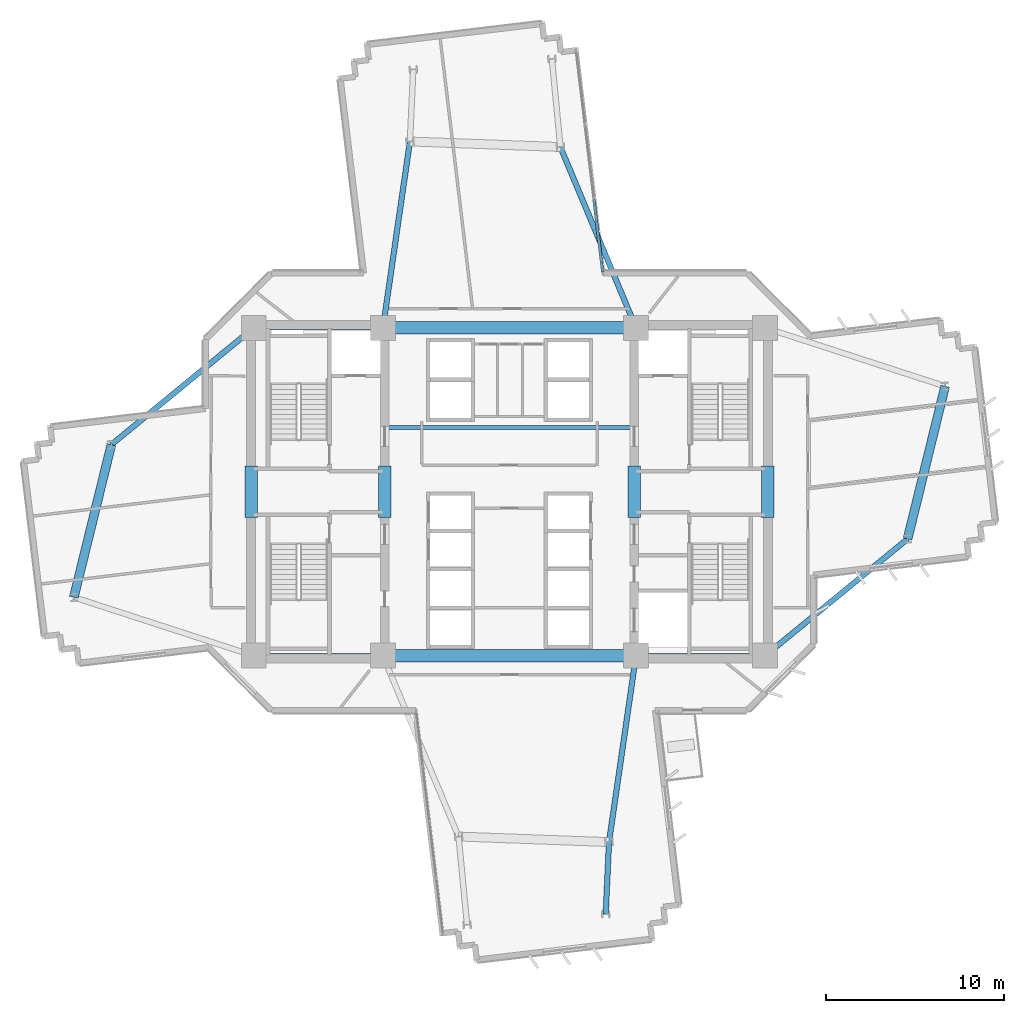
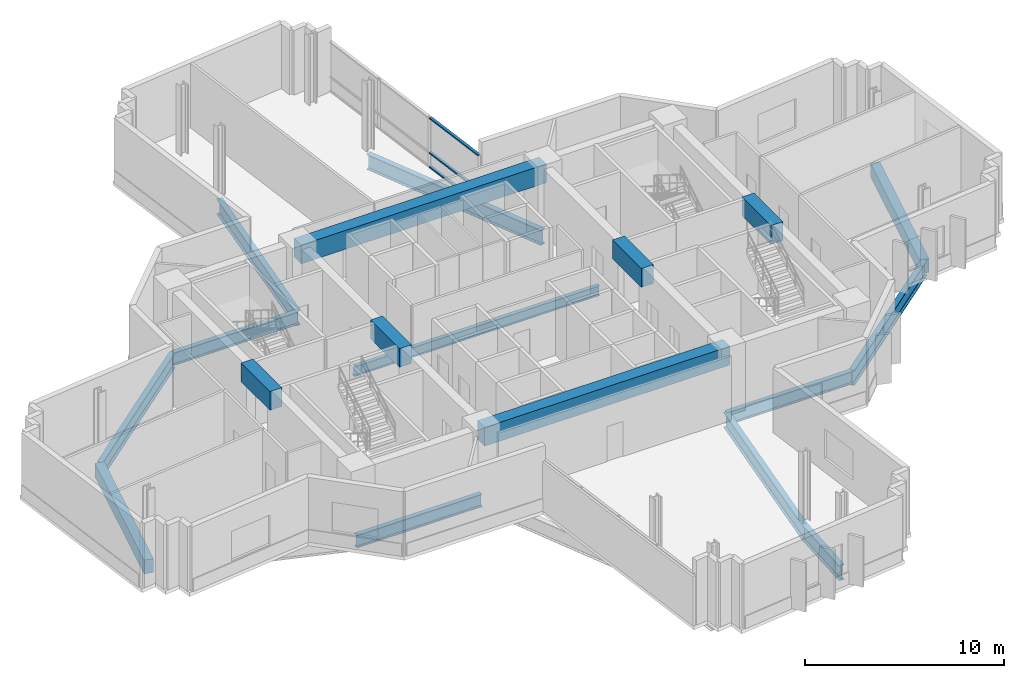
# One storey, part 3 of 15: 18 beams, 3 members, 1 element without a shape of its own.
"""IFC4 building model written with IfcOpenShell, lengths in metres."""

import ifcopenshell
import ifcopenshell.guid

model = None  # the IFC model being written
_history = None  # IfcOwnerHistory: only IFC2X3 demands one
_inside = {}  # id of a spatial element -> (the spatial element, [elements in it])
_under = {}  # id of a project, library or spatial element -> (it, [spatial elements below it])
_declared = {}  # id of a project -> (the project, [libraries it declares])
_typed = {}  # id of a type object -> (the type object, [elements of that type])
_made_of = {}  # id of a material, layer set ... -> (it, [elements and type objects made of it])


def new_model(schema):
    """Start an empty IFC model of exactly this schema.

    Asked for "IFC4X3", IfcOpenShell would pick the latest addendum, in which some entities
    have other attributes; the version numbers below select the first issue.
    IFC2X3 requires an IfcOwnerHistory on every rooted entity: one is made here for all.
    """
    global model, _history
    if schema == "IFC4X3":
        model = ifcopenshell.file(schema_version=(4, 3, 0, 0))
    else:
        model = ifcopenshell.file(schema=schema)
    _inside.clear()
    _under.clear()
    _declared.clear()
    _typed.clear()
    _made_of.clear()
    _history = None
    if model.schema == "IFC2X3":
        org = make("IfcOrganization", Name="unknown")
        user = make(
            "IfcPersonAndOrganization",
            ThePerson=make("IfcPerson", FamilyName="unknown"),
            TheOrganization=org,
        )
        app = make(
            "IfcApplication",
            ApplicationDeveloper=org,
            Version="unknown",
            ApplicationFullName="unknown",
            ApplicationIdentifier="unknown",
        )
        _history = make(
            "IfcOwnerHistory",
            OwningUser=user,
            OwningApplication=app,
            ChangeAction="ADDED",
            CreationDate=0,
        )
    return model


def make(cls, **values):
    """One entity of the class cls with the attributes given. An attribute that is None is left unset."""
    return model.create_entity(
        cls, **{name: value for name, value in values.items() if value is not None}
    )


def rooted(cls, **values):
    """An entity with a GlobalId (a new one), such as an element, a storey or a relation."""
    return make(cls, GlobalId=ifcopenshell.guid.new(), OwnerHistory=_history, **values)


def si_unit(unit_type, name, prefix=None):
    """IfcSIUnit, for example si_unit("LENGTHUNIT", "METRE", prefix="MILLI")."""
    return make("IfcSIUnit", UnitType=unit_type, Prefix=prefix, Name=name)


def assignment(units):
    """IfcUnitAssignment: the units of a project."""
    return None if units is None else make("IfcUnitAssignment", Units=units)


def point(xyz):
    """IfcCartesianPoint."""
    return None if xyz is None else make("IfcCartesianPoint", Coordinates=xyz)


def direction(xyz):
    """IfcDirection."""
    return None if xyz is None else make("IfcDirection", DirectionRatios=xyz)


def frame(location, z_axis=None, x_axis=None):
    """IfcAxis2Placement3D, a coordinate frame: its origin and axes. An axis left out is left unset."""
    return make(
        "IfcAxis2Placement3D",
        Location=point(location),
        Axis=direction(z_axis),
        RefDirection=direction(x_axis),
    )


def frame_2d(location, x_axis=None):
    """IfcAxis2Placement2D, a coordinate frame in the plane: its origin and x axis."""
    return make(
        "IfcAxis2Placement2D", Location=point(location), RefDirection=direction(x_axis)
    )


def origin():
    """The frame at (0, 0, 0) with its axes left unset."""
    return frame((0.0, 0.0, 0.0))


def origin_2d():
    """The frame at (0, 0) in the plane with its x axis left unset."""
    return frame_2d((0.0, 0.0))


def place(relative_to, where):
    """IfcLocalPlacement: puts the frame where relative to a parent placement (None: the world)."""
    return make(
        "IfcLocalPlacement", PlacementRelTo=relative_to, RelativePlacement=where
    )


def context(
    kind, dimensions, precision=None, world=None, true_north=None, identifier=None
):
    """IfcGeometricRepresentationContext, for example the 3D "Model" context."""
    return make(
        "IfcGeometricRepresentationContext",
        ContextIdentifier=identifier,
        ContextType=kind,
        CoordinateSpaceDimension=dimensions,
        Precision=precision,
        WorldCoordinateSystem=world,
        TrueNorth=true_north,
    )


def subcontext(parent, identifier, kind, view, scale=None):
    """IfcGeometricRepresentationSubContext, for example "Body" below "Model"."""
    return make(
        "IfcGeometricRepresentationSubContext",
        ContextIdentifier=identifier,
        ContextType=kind,
        ParentContext=parent,
        TargetScale=scale,
        TargetView=view,
    )


def project(units=None, contexts=None):
    """IfcProject with its units and contexts."""
    return rooted(
        "IfcProject",
        Name="project",
        RepresentationContexts=contexts,
        UnitsInContext=assignment(units),
    )


def spatial(cls, under=None, at=None, **own):
    """A site, building, storey or space (cls), placed at a placement, below another one or the project."""
    s = rooted(cls, ObjectPlacement=at, **own)
    if under is not None:
        _under.setdefault(under.id(), (under, []))[1].append(s)
    return s


def profile(cls, at=None, kind="AREA", **sizes):
    """A parametric profile (cls). Its sizes go by their IFC names, for example OverallWidth=200.0."""
    return make(cls, ProfileType=kind, Position=at, **sizes)


def rectangle(**sizes):
    """IfcRectangleProfileDef."""
    return profile("IfcRectangleProfileDef", **sizes)


def i_section(**sizes):
    """IfcIShapeProfileDef."""
    return profile("IfcIShapeProfileDef", **sizes)


def extrude(swept, where, along, depth):
    """IfcExtrudedAreaSolid: the profile swept, set in the frame where, extruded along a direction by depth."""
    return make(
        "IfcExtrudedAreaSolid",
        SweptArea=swept,
        Position=where,
        ExtrudedDirection=direction(along),
        Depth=depth,
    )


def shape(context_of_items, identifier, shape_type, items):
    """IfcShapeRepresentation: the items that make up one representation, for example the "Body"."""
    return make(
        "IfcShapeRepresentation",
        ContextOfItems=context_of_items,
        RepresentationIdentifier=identifier,
        RepresentationType=shape_type,
        Items=items,
    )


def source(mapping_origin, context_of_items, identifier, shape_type, items):
    """IfcRepresentationMap: a shape defined once, which mapped items show again and again."""
    return make(
        "IfcRepresentationMap",
        MappingOrigin=mapping_origin,
        MappedRepresentation=shape(context_of_items, identifier, shape_type, items),
    )


def transform(
    local_origin,
    x_axis=None,
    y_axis=None,
    z_axis=None,
    scale=None,
    scale2=None,
    scale3=None,
    uniform=True,
):
    """IfcCartesianTransformationOperator3D, or its non-uniform kind. x_axis, y_axis, z_axis: its Axis1, 2, 3."""
    if uniform:
        return make(
            "IfcCartesianTransformationOperator3D",
            Axis1=direction(x_axis),
            Axis2=direction(y_axis),
            LocalOrigin=point(local_origin),
            Scale=scale,
            Axis3=direction(z_axis),
        )
    return make(
        "IfcCartesianTransformationOperator3DnonUniform",
        Axis1=direction(x_axis),
        Axis2=direction(y_axis),
        LocalOrigin=point(local_origin),
        Scale=scale,
        Axis3=direction(z_axis),
        Scale2=scale2,
        Scale3=scale3,
    )


def mapped(mapping_source, mapping_target):
    """IfcMappedItem: shows the shape of a source again, moved by a transform."""
    return make(
        "IfcMappedItem", MappingSource=mapping_source, MappingTarget=mapping_target
    )


def material(Name=None, Category=None):
    """IfcMaterial."""
    return make("IfcMaterial", Name=Name, Category=Category)


def layer(
    of_material, thickness, ventilated=None, Name=None, Category=None, Priority=None
):
    """IfcMaterialLayer: one layer of a wall or slab, of a material (None: an air gap)."""
    return make(
        "IfcMaterialLayer",
        Material=of_material,
        LayerThickness=thickness,
        IsVentilated=ventilated,
        Name=Name,
        Category=Category,
        Priority=Priority,
    )


def layer_set(layers, Name=None):
    """IfcMaterialLayerSet."""
    return make("IfcMaterialLayerSet", MaterialLayers=layers, LayerSetName=Name)


def material_profile(
    of_material, cross_section, Name=None, Category=None, Priority=None
):
    """IfcMaterialProfile: a cross section and its material."""
    return make(
        "IfcMaterialProfile",
        Name=Name,
        Material=of_material,
        Profile=cross_section,
        Priority=Priority,
        Category=Category,
    )


def profile_set(profiles, Name=None, composite=None):
    """IfcMaterialProfileSet."""
    return make(
        "IfcMaterialProfileSet",
        Name=Name,
        MaterialProfiles=profiles,
        CompositeProfile=composite,
    )


def made_of(thing, what):
    """Note that an element or type object is made of a material, layer set ...; save() writes the relation."""
    if what is not None:
        _made_of.setdefault(what.id(), (what, []))[1].append(thing)
    return thing


def type_object(cls, material=None, **own):
    """A type object (cls), such as IfcWallType, which elements share."""
    return made_of(rooted(cls, **own), material)


def element(
    cls,
    number,
    at=None,
    inside=None,
    cuts=None,
    type_object=None,
    material=None,
    context=None,
    identifier="Body",
    shape_type=None,
    held_by="IfcProductDefinitionShape",
    body=None,
    shapes=None,
    **own,
):
    """One element of the class cls, such as IfcWall. Its Tag is "e" and its number.

    at: its placement. inside: the storey or other place that contains it. cuts: it is an
    opening in that element (IfcRelVoidsElement). A single representation is given by context,
    identifier, shape_type and body (its items); several are given by shapes. held_by: the class
    of the entity that holds the representations. save() writes the other relations.
    """
    e = rooted(cls, Tag="e%d" % number, ObjectPlacement=at, **own)
    if body is not None:
        shapes = [shape(context, identifier, shape_type, body)]
    if shapes is not None:
        e.Representation = make(held_by, Representations=shapes)
    if inside is not None:
        _inside.setdefault(inside.id(), (inside, []))[1].append(e)
    if cuts is not None:
        rooted(
            "IfcRelVoidsElement", RelatingBuildingElement=cuts, RelatedOpeningElement=e
        )
    if type_object is not None:
        _typed.setdefault(type_object.id(), (type_object, []))[1].append(e)
    return made_of(e, material)


def aggregate(whole, parts):
    """IfcRelAggregates: a whole, such as a stair, and the parts it consists of."""
    return rooted("IfcRelAggregates", RelatingObject=whole, RelatedObjects=parts)


def save(model, path):
    """Write the relations noted so far, then the file.

    IfcRelAggregates (storeys below a building ...), IfcRelContainedInSpatialStructure (elements
    in a storey), IfcRelDefinesByType, IfcRelAssociatesMaterial and IfcRelDeclares: one each for
    every whole, place, type object, material and project.
    """
    for whole, parts in _under.values():
        aggregate(whole, parts)
    for where, things in _inside.values():
        rooted(
            "IfcRelContainedInSpatialStructure",
            RelatedElements=things,
            RelatingStructure=where,
        )
    for kind, things in _typed.values():
        rooted("IfcRelDefinesByType", RelatedObjects=things, RelatingType=kind)
    for what, things in _made_of.values():
        rooted("IfcRelAssociatesMaterial", RelatedObjects=things, RelatingMaterial=what)
    for by, libraries in _declared.values():
        rooted("IfcRelDeclares", RelatingContext=by, RelatedDefinitions=libraries)
    model.write(path)


model = new_model("IFC4")

# Units and contexts
model_context = context("Model", 3, precision=1e-05, world=origin(), true_north=direction((0.0, 1.0)))
body_context = subcontext(model_context, "Body", "Model", "MODEL_VIEW")
ifc_project = project(units=[si_unit("LENGTHUNIT", "METRE"), si_unit("AREAUNIT", "SQUARE_METRE"), si_unit("VOLUMEUNIT", "CUBIC_METRE"), si_unit("PLANEANGLEUNIT", "RADIAN"), si_unit("MASSUNIT", "GRAM", prefix="KILO")], contexts=[model_context])

# Site, building, storey
site_placement = place(None, origin())
site = spatial("IfcSite", under=ifc_project, at=site_placement, CompositionType="ELEMENT")
building_placement = place(site_placement, origin())
building = spatial("IfcBuilding", under=site, at=building_placement, Name="Zahravan Cultural Tower", CompositionType="ELEMENT")
storey_placement = place(building_placement, frame((0.0, 0.0, 104.699951171875)))
storey = spatial("IfcBuildingStorey", under=building, at=storey_placement, Name="L23", CompositionType="ELEMENT", Elevation=104.699951171875)

# Beams
ifc_material_1 = material(Name="Concrete C50/60", Category="concrete")
ifc_material_profile_1 = material_profile(ifc_material_1, rectangle(XDim=0.699951171875, YDim=1.14990234375, at=origin_2d()), Name="RC700X1150")
ifc_profile_set_1 = profile_set([ifc_material_profile_1], Name="Concrete C50/60")
beam_type_1 = type_object("IfcBeamType", Name="BM-LN-RC700X1150", PredefinedType="LINTEL", material=ifc_profile_set_1)
shared_shape_1 = source(origin(), body_context, "Body", "SweptSolid", [
    extrude(rectangle(XDim=0.699951171875, YDim=1.14990234375, at=origin_2d()), origin(), (0.0, 0.0, 1.0), 14.2001953125),
])
for number, where, z_axis, x_axis, name in (
    (1, (28.89990234375, 17.800048828125, 3.375), (1.0, 0.0, 0.0), (0.0, 1.0, 0.0), "L23 Beam LN-L23-S"),
    (2, (28.89990234375, 36.199951171875, 3.375), (1.0, 0.0, 0.0), (0.0, 1.0, 0.0), "L23 Beam LN-L23-N"),
):
    element("IfcBeam", number, at=place(storey_placement, frame(where, z_axis=z_axis, x_axis=x_axis)), inside=storey, type_object=beam_type_1, Name=name, PredefinedType="LINTEL", context=body_context, shape_type="MappedRepresentation", body=[
        mapped(shared_shape_1, transform((0.0, 0.0, 0.0), x_axis=(1.0, 0.0, 0.0), y_axis=(0.0, 1.0, 0.0), z_axis=(0.0, 0.0, 1.0), scale=1.0)),
    ])
shared_shape_2 = source(origin(), body_context, "Body", "SweptSolid", [
    extrude(rectangle(XDim=0.699951171875, YDim=1.14990234375, at=origin_2d()), origin(), (0.0, 0.0, 1.0), 2.89990234375),
])
for number, where, z_axis, x_axis, name in (
    (3, (21.5, 25.550048828125, 3.375), (0.0, 1.0, 0.0), (-1.0, 0.0, 0.0), "L23 Beam LN-L23-PWW"),
    (4, (29.0, 25.550048828125, 3.375), (0.0, 1.0, 0.0), (-1.0, 0.0, 0.0), "L23 Beam LN-L23-PWE"),
    (5, (43.0, 25.550048828125, 3.375), (0.0, 1.0, 0.0), (-1.0, 0.0, 0.0), "L23 Beam LN-L23-PEW"),
    (6, (50.5, 25.550048828125, 3.375), (0.0, 1.0, 0.0), (-1.0, 0.0, 0.0), "L23 Beam LN-L23-PEE"),
):
    element("IfcBeam", number, at=place(storey_placement, frame(where, z_axis=z_axis, x_axis=x_axis)), inside=storey, type_object=beam_type_1, Name=name, PredefinedType="LINTEL", context=body_context, shape_type="MappedRepresentation", body=[
        mapped(shared_shape_2, transform((0.0, 0.0, 0.0), x_axis=(1.0, 0.0, 0.0), y_axis=(0.0, 1.0, 0.0), z_axis=(0.0, 0.0, 1.0), scale=1.0)),
    ])
ifc_material_2 = material(Name="Steel ASTM A992 Grade 50", Category="steel")
ifc_material_profile_2 = material_profile(ifc_material_2, i_section(OverallWidth=0.26611328125, OverallDepth=0.780029296875, WebThickness=0.0166015625, FlangeThickness=0.030029296875, FilletRadius=0.01904296875, at=origin_2d()), Name="W30X148")
ifc_profile_set_2 = profile_set([ifc_material_profile_2], Name="Steel ASTM A992 Grade 50")
beam_type_2 = type_object("IfcBeamType", Name="BM-G-W30X148", PredefinedType="BEAM", material=ifc_profile_set_2)
shared_shape_3 = source(origin(), body_context, "Body", "SweptSolid", [
    extrude(i_section(OverallWidth=0.26611328125, OverallDepth=0.780029296875, WebThickness=0.0166015625, FlangeThickness=0.030029296875, FilletRadius=0.01904296875, at=origin_2d()), origin(), (0.0, 0.0, 1.0), 7.25),
])
for number, where, z_axis, x_axis, name in (
    (7, (21.64990234375, 17.800048828125, -0.639892578125), (1.0, 0.0, 0.0), (0.0, 1.0, 0.0), "L23 Beam BG-L23-01"),
    (8, (21.64990234375, 36.199951171875, -0.639892578125), (1.0, 0.0, 0.0), (0.0, 1.0, 0.0), "L23 Beam BG-L23-02"),
    (9, (43.10009765625, 17.800048828125, -0.639892578125), (1.0, 0.0, 0.0), (0.0, 1.0, 0.0), "L23 Beam BG-L23-04"),
):
    element("IfcBeam", number, at=place(storey_placement, frame(where, z_axis=z_axis, x_axis=x_axis)), inside=storey, type_object=beam_type_2, Name=name, PredefinedType="BEAM", context=body_context, shape_type="MappedRepresentation", body=[
        mapped(shared_shape_3, transform((0.0, 0.0, 0.0), x_axis=(1.0, 0.0, 0.0), y_axis=(0.0, 1.0, 0.0), z_axis=(0.0, 0.0, 1.0), scale=1.0)),
    ])
ifc_material_profile_3 = material_profile(ifc_material_2, i_section(OverallWidth=0.30908203125, OverallDepth=0.931884765625, WebThickness=0.02099609375, FlangeThickness=0.034423828125, FilletRadius=0.02392578125, at=origin_2d()), Name="W36X210")
ifc_profile_set_3 = profile_set([ifc_material_profile_3], Name="Steel ASTM A992 Grade 50")
beam_type_3 = type_object("IfcBeamType", Name="BM-G-W36X210", PredefinedType="BEAM", material=ifc_profile_set_3)
shared_shape_4 = source(origin(), body_context, "Body", "SweptSolid", [
    extrude(i_section(OverallWidth=0.30908203125, OverallDepth=0.931884765625, WebThickness=0.02099609375, FlangeThickness=0.034423828125, FilletRadius=0.02392578125, at=origin_2d()), origin(), (0.0, 0.0, 1.0), 10.997802734375),
])
beam_1_placement = place(storey_placement, frame((43.10009765625, 36.199951171875, -0.716064453125), z_axis=(-0.385775211449, 0.922592806297, 0.0), x_axis=(-0.922592806297, -0.385775211449, 0.0)))
element("IfcBeam", 10, at=beam_1_placement, inside=storey, type_object=beam_type_3, Name="L23 Beam BG-L23-12", PredefinedType="BEAM", context=body_context, shape_type="MappedRepresentation", body=[
    mapped(shared_shape_4, transform((0.0, 0.0, 0.0), x_axis=(1.0, 0.0, 0.0), y_axis=(0.0, 1.0, 0.0), z_axis=(0.0, 0.0, 1.0), scale=1.0)),
])
shared_shape_5 = source(origin(), body_context, "Body", "SweptSolid", [
    extrude(i_section(OverallWidth=0.30908203125, OverallDepth=0.931884765625, WebThickness=0.02099609375, FlangeThickness=0.034423828125, FilletRadius=0.02392578125, at=origin_2d()), origin(), (0.0, 0.0, 1.0), 10.5673828125),
])
for number, where, z_axis, x_axis, name in (
    (11, (43.10009765625, 17.800048828125, -0.716064453125), (-0.143377913539, -0.989668011966, 0.0), (0.989668011966, -0.143377913539, 0.0), "L23 Beam BG-L23-09"),
    (12, (28.89990234375, 36.199951171875, -0.716064453125), (0.143377913539, 0.989668011966, 0.0), (-0.989668011966, 0.143377913539, 0.0), "L23 Beam BG-L23-13"),
):
    element("IfcBeam", number, at=place(storey_placement, frame(where, z_axis=z_axis, x_axis=x_axis)), inside=storey, type_object=beam_type_3, Name=name, PredefinedType="BEAM", context=body_context, shape_type="MappedRepresentation", body=[
        mapped(shared_shape_5, transform((0.0, 0.0, 0.0), x_axis=(1.0, 0.0, 0.0), y_axis=(0.0, 1.0, 0.0), z_axis=(0.0, 0.0, 1.0), scale=1.0)),
    ])
shared_shape_6 = source(origin(), body_context, "Body", "SweptSolid", [
    extrude(i_section(OverallWidth=0.30908203125, OverallDepth=0.931884765625, WebThickness=0.02099609375, FlangeThickness=0.034423828125, FilletRadius=0.02392578125, at=origin_2d()), origin(), (0.0, 0.0, 1.0), 10.33203125),
])
for number, where, z_axis, x_axis, name in (
    (13, (50.35009765625, 17.800048828125, -0.716064453125), (0.773231409473, 0.634123952713, 0.0), (-0.634123952713, 0.773231409473, 0.0), "L23 Beam BG-L23-10"),
    (14, (21.64990234375, 36.199951171875, -0.716064453125), (-0.773231409473, -0.634123952713, 0.0), (0.634123952713, -0.773231409473, 0.0), "L23 Beam BG-L23-14"),
):
    element("IfcBeam", number, at=place(storey_placement, frame(where, z_axis=z_axis, x_axis=x_axis)), inside=storey, type_object=beam_type_3, Name=name, PredefinedType="BEAM", context=body_context, shape_type="MappedRepresentation", body=[
        mapped(shared_shape_6, transform((0.0, 0.0, 0.0), x_axis=(1.0, 0.0, 0.0), y_axis=(0.0, 1.0, 0.0), z_axis=(0.0, 0.0, 1.0), scale=1.0)),
    ])
shared_shape_7 = source(origin(), body_context, "Body", "SweptSolid", [
    extrude(i_section(OverallWidth=0.30908203125, OverallDepth=0.931884765625, WebThickness=0.02099609375, FlangeThickness=0.034423828125, FilletRadius=0.02392578125, at=origin_2d()), origin(), (0.0, 0.0, 1.0), 4.0537109375),
])
beam_2_placement = place(storey_placement, frame((41.5849609375, 7.341796875, -0.716064453125), z_axis=(-0.045770994677, -0.998951958828, 0.0), x_axis=(0.998951958828, -0.045770994677, 0.0)))
element("IfcBeam", 15, at=beam_2_placement, inside=storey, type_object=beam_type_3, Name="L23 Beam BG-L23-18", PredefinedType="BEAM", context=body_context, shape_type="MappedRepresentation", body=[
    mapped(shared_shape_7, transform((0.0, 0.0, 0.0), x_axis=(1.0, 0.0, 0.0), y_axis=(0.0, 1.0, 0.0), z_axis=(0.0, 0.0, 1.0), scale=1.0)),
])
ifc_material_profile_4 = material_profile(ifc_material_1, rectangle(XDim=0.5, YDim=0.85009765625, at=origin_2d()), Name="RC500X850")
ifc_profile_set_4 = profile_set([ifc_material_profile_4], Name="Concrete C50/60")
beam_type_4 = type_object("IfcBeamType", Name="BM-SP-RC500X850", PredefinedType="SPANDREL", material=ifc_profile_set_4)
shared_shape_8 = source(origin(), body_context, "Body", "SweptSolid", [
    extrude(rectangle(XDim=0.5, YDim=0.85009765625, at=origin_2d()), origin(), (0.0, 0.0, 1.0), 8.8232421875),
])
for number, where, z_axis, x_axis, name in (
    (16, (58.339111328125, 24.351806640625, -0.675048828125), (0.238848860516, 0.971056755206, 0.0), (-0.971056755206, 0.238848860516, 0.0), "L23 Beam SP-L23-20"),
    (17, (13.660888671875, 29.648193359375, -0.675048828125), (-0.238848860516, -0.971056755206, 0.0), (0.971056755206, -0.238848860516, 0.0), "L23 Beam SP-L23-22"),
):
    element("IfcBeam", number, at=place(storey_placement, frame(where, z_axis=z_axis, x_axis=x_axis)), inside=storey, type_object=beam_type_4, Name=name, PredefinedType="SPANDREL", context=body_context, shape_type="MappedRepresentation", body=[
        mapped(shared_shape_8, transform((0.0, 0.0, 0.0), x_axis=(1.0, 0.0, 0.0), y_axis=(0.0, 1.0, 0.0), z_axis=(0.0, 0.0, 1.0), scale=1.0)),
    ])
ifc_material_profile_5 = material_profile(ifc_material_2, i_section(OverallWidth=0.22802734375, OverallDepth=0.60302734375, WebThickness=0.010498046875, FlangeThickness=0.014892578125, FilletRadius=0.014892578125, at=origin_2d()), Name="W24X68")
ifc_profile_set_5 = profile_set([ifc_material_profile_5], Name="Steel ASTM A992 Grade 50")
beam_type_5 = type_object("IfcBeamType", Name="BM-J-W24X68", PredefinedType="JOIST", material=ifc_profile_set_5)
shared_shape_9 = source(origin(), body_context, "Body", "SweptSolid", [
    extrude(i_section(OverallWidth=0.22802734375, OverallDepth=0.60302734375, WebThickness=0.010498046875, FlangeThickness=0.014892578125, FilletRadius=0.014892578125, at=origin_2d()), origin(), (0.0, 0.0, 1.0), 14.2001953125),
])
beam_3_placement = place(storey_placement, frame((28.89990234375, 30.60009765625, -0.551513671875), z_axis=(1.0, 0.0, 0.0), x_axis=(0.0, 1.0, 0.0)))
element("IfcBeam", 18, at=beam_3_placement, inside=storey, type_object=beam_type_5, Name="L23 Beam BJ-L23-23", PredefinedType="JOIST", context=body_context, shape_type="MappedRepresentation", body=[
    mapped(shared_shape_9, transform((0.0, 0.0, 0.0), x_axis=(1.0, 0.0, 0.0), y_axis=(0.0, 1.0, 0.0), z_axis=(0.0, 0.0, 1.0), scale=1.0)),
])

# Curtain wall, members
ifc_material_3 = material(Name="Anodised bronze-aluminium mullion", Category="aluminium")
ifc_layer = layer(ifc_material_3, 0.219970703125)
ifc_layer_set = layer_set([ifc_layer], Name="Anodised bronze-aluminium mullion")
curtain_wall_type = type_object("IfcCurtainWallType", Name="CW-SYS-1", PredefinedType="USERDEFINED", material=ifc_layer_set)
curtain_wall_placement = place(storey_placement, origin())
curtain_wall = element("IfcCurtainWall", 19, at=curtain_wall_placement, inside=storey, type_object=curtain_wall_type, Name="L23 Recessed Curtain Wall CW-1.2", ObjectType="RECESSED GLAZING", PredefinedType="USERDEFINED")
ifc_material_profile_6 = material_profile(ifc_material_3, rectangle(XDim=0.159912109375, YDim=0.080078125, at=origin_2d()), Name="AL-T80X160")
ifc_profile_set_6 = profile_set([ifc_material_profile_6], Name="Anodised bronze-aluminium mullion")
member_type = type_object("IfcMemberType", Name="CWT-CW-1", PredefinedType="USERDEFINED", material=ifc_profile_set_6)
shared_shape_10 = source(origin(), body_context, "Body", "SweptSolid", [
    extrude(rectangle(XDim=0.159912109375, YDim=0.080078125, at=origin_2d()), origin(), (0.0, 0.0, 1.0), 4.083740234375),
])
member_1_placement = place(storey_placement, frame((40.7412109375, 43.39404296875, 0.0400390625), z_axis=(0.119088643022, -0.992883626163, 0.0), x_axis=(0.992883626163, 0.119088643022, 0.0)))
member_1 = element("IfcMember", 20, at=member_1_placement, type_object=member_type, Name="CW-1 transom 3.1", ObjectType="TRANSOM", PredefinedType="USERDEFINED", context=body_context, shape_type="MappedRepresentation", body=[
    mapped(shared_shape_10, transform((0.0, 0.0, 0.0), x_axis=(1.0, 0.0, 0.0), y_axis=(0.0, 1.0, 0.0), z_axis=(0.0, 0.0, 1.0), scale=1.0)),
])
member_2_placement = place(storey_placement, frame((40.7412109375, 43.39404296875, 0.900146484375), z_axis=(0.119088643022, -0.992883626163, 0.0), x_axis=(0.992883626163, 0.119088643022, 0.0)))
member_2 = element("IfcMember", 21, at=member_2_placement, type_object=member_type, Name="CW-1 transom 3.2", ObjectType="TRANSOM", PredefinedType="USERDEFINED", context=body_context, shape_type="MappedRepresentation", body=[
    mapped(shared_shape_10, transform((0.0, 0.0, 0.0), x_axis=(1.0, 0.0, 0.0), y_axis=(0.0, 1.0, 0.0), z_axis=(0.0, 0.0, 1.0), scale=1.0)),
])
member_3_placement = place(storey_placement, frame((40.7412109375, 43.39404296875, 3.030029296875), z_axis=(0.119088643022, -0.992883626163, 0.0), x_axis=(0.992883626163, 0.119088643022, 0.0)))
member_3 = element("IfcMember", 22, at=member_3_placement, type_object=member_type, Name="CW-1 transom 3.3", ObjectType="TRANSOM", PredefinedType="USERDEFINED", context=body_context, shape_type="MappedRepresentation", body=[
    mapped(shared_shape_10, transform((0.0, 0.0, 0.0), x_axis=(1.0, 0.0, 0.0), y_axis=(0.0, 1.0, 0.0), z_axis=(0.0, 0.0, 1.0), scale=1.0)),
])
aggregate(curtain_wall, [member_1, member_2, member_3])

save(model, "model.ifc")
